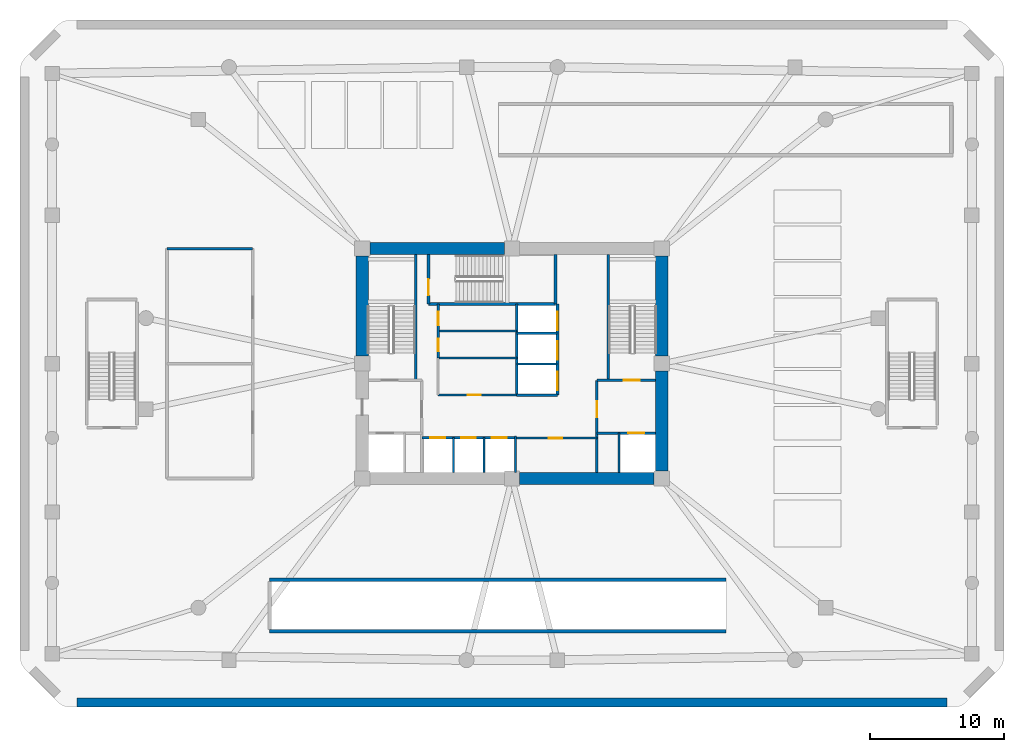
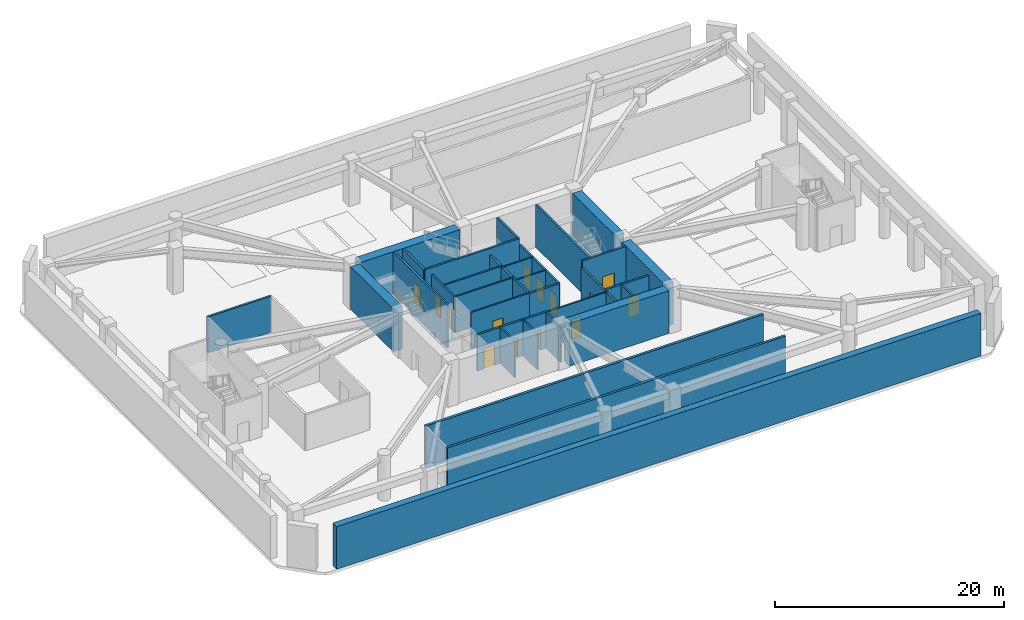
# One storey, part 3 of 8: 32 walls, 14 doors, 14 openings.
"""IFC4 building model written with IfcOpenShell, lengths in metres."""

import ifcopenshell
import ifcopenshell.guid

model = None  # the IFC model being written
_history = None  # IfcOwnerHistory: only IFC2X3 demands one
_inside = {}  # id of a spatial element -> (the spatial element, [elements in it])
_under = {}  # id of a project, library or spatial element -> (it, [spatial elements below it])
_declared = {}  # id of a project -> (the project, [libraries it declares])
_typed = {}  # id of a type object -> (the type object, [elements of that type])
_made_of = {}  # id of a material, layer set ... -> (it, [elements and type objects made of it])


def new_model(schema):
    """Start an empty IFC model of exactly this schema.

    Asked for "IFC4X3", IfcOpenShell would pick the latest addendum, in which some entities
    have other attributes; the version numbers below select the first issue.
    IFC2X3 requires an IfcOwnerHistory on every rooted entity: one is made here for all.
    """
    global model, _history
    if schema == "IFC4X3":
        model = ifcopenshell.file(schema_version=(4, 3, 0, 0))
    else:
        model = ifcopenshell.file(schema=schema)
    _inside.clear()
    _under.clear()
    _declared.clear()
    _typed.clear()
    _made_of.clear()
    _history = None
    if model.schema == "IFC2X3":
        org = make("IfcOrganization", Name="unknown")
        user = make(
            "IfcPersonAndOrganization",
            ThePerson=make("IfcPerson", FamilyName="unknown"),
            TheOrganization=org,
        )
        app = make(
            "IfcApplication",
            ApplicationDeveloper=org,
            Version="unknown",
            ApplicationFullName="unknown",
            ApplicationIdentifier="unknown",
        )
        _history = make(
            "IfcOwnerHistory",
            OwningUser=user,
            OwningApplication=app,
            ChangeAction="ADDED",
            CreationDate=0,
        )
    return model


def make(cls, **values):
    """One entity of the class cls with the attributes given. An attribute that is None is left unset."""
    return model.create_entity(
        cls, **{name: value for name, value in values.items() if value is not None}
    )


def rooted(cls, **values):
    """An entity with a GlobalId (a new one), such as an element, a storey or a relation."""
    return make(cls, GlobalId=ifcopenshell.guid.new(), OwnerHistory=_history, **values)


def si_unit(unit_type, name, prefix=None):
    """IfcSIUnit, for example si_unit("LENGTHUNIT", "METRE", prefix="MILLI")."""
    return make("IfcSIUnit", UnitType=unit_type, Prefix=prefix, Name=name)


def derived_unit(unit_type, elements):
    """IfcDerivedUnit: a product of units, each with its exponent."""
    return make(
        "IfcDerivedUnit",
        Elements=[
            make("IfcDerivedUnitElement", Unit=unit, Exponent=power)
            for unit, power in elements
        ],
        UnitType=unit_type,
    )


def assignment(units):
    """IfcUnitAssignment: the units of a project."""
    return None if units is None else make("IfcUnitAssignment", Units=units)


def point(xyz):
    """IfcCartesianPoint."""
    return None if xyz is None else make("IfcCartesianPoint", Coordinates=xyz)


def direction(xyz):
    """IfcDirection."""
    return None if xyz is None else make("IfcDirection", DirectionRatios=xyz)


def frame(location, z_axis=None, x_axis=None):
    """IfcAxis2Placement3D, a coordinate frame: its origin and axes. An axis left out is left unset."""
    return make(
        "IfcAxis2Placement3D",
        Location=point(location),
        Axis=direction(z_axis),
        RefDirection=direction(x_axis),
    )


def frame_2d(location, x_axis=None):
    """IfcAxis2Placement2D, a coordinate frame in the plane: its origin and x axis."""
    return make(
        "IfcAxis2Placement2D", Location=point(location), RefDirection=direction(x_axis)
    )


def origin():
    """The frame at (0, 0, 0) with its axes left unset."""
    return frame((0.0, 0.0, 0.0))


def place(relative_to, where):
    """IfcLocalPlacement: puts the frame where relative to a parent placement (None: the world)."""
    return make(
        "IfcLocalPlacement", PlacementRelTo=relative_to, RelativePlacement=where
    )


def context(
    kind, dimensions, precision=None, world=None, true_north=None, identifier=None
):
    """IfcGeometricRepresentationContext, for example the 3D "Model" context."""
    return make(
        "IfcGeometricRepresentationContext",
        ContextIdentifier=identifier,
        ContextType=kind,
        CoordinateSpaceDimension=dimensions,
        Precision=precision,
        WorldCoordinateSystem=world,
        TrueNorth=true_north,
    )


def subcontext(parent, identifier, kind, view, scale=None):
    """IfcGeometricRepresentationSubContext, for example "Body" below "Model"."""
    return make(
        "IfcGeometricRepresentationSubContext",
        ContextIdentifier=identifier,
        ContextType=kind,
        ParentContext=parent,
        TargetScale=scale,
        TargetView=view,
    )


def project(units=None, contexts=None):
    """IfcProject with its units and contexts."""
    return rooted(
        "IfcProject",
        Name="project",
        RepresentationContexts=contexts,
        UnitsInContext=assignment(units),
    )


def spatial(cls, under=None, at=None, **own):
    """A site, building, storey or space (cls), placed at a placement, below another one or the project."""
    s = rooted(cls, ObjectPlacement=at, **own)
    if under is not None:
        _under.setdefault(under.id(), (under, []))[1].append(s)
    return s


def profile(cls, at=None, kind="AREA", **sizes):
    """A parametric profile (cls). Its sizes go by their IFC names, for example OverallWidth=200.0."""
    return make(cls, ProfileType=kind, Position=at, **sizes)


def rectangle(**sizes):
    """IfcRectangleProfileDef."""
    return profile("IfcRectangleProfileDef", **sizes)


def extrude(swept, where, along, depth):
    """IfcExtrudedAreaSolid: the profile swept, set in the frame where, extruded along a direction by depth."""
    return make(
        "IfcExtrudedAreaSolid",
        SweptArea=swept,
        Position=where,
        ExtrudedDirection=direction(along),
        Depth=depth,
    )


def shape(context_of_items, identifier, shape_type, items):
    """IfcShapeRepresentation: the items that make up one representation, for example the "Body"."""
    return make(
        "IfcShapeRepresentation",
        ContextOfItems=context_of_items,
        RepresentationIdentifier=identifier,
        RepresentationType=shape_type,
        Items=items,
    )


def material(Name=None, Category=None):
    """IfcMaterial."""
    return make("IfcMaterial", Name=Name, Category=Category)


def layer(
    of_material, thickness, ventilated=None, Name=None, Category=None, Priority=None
):
    """IfcMaterialLayer: one layer of a wall or slab, of a material (None: an air gap)."""
    return make(
        "IfcMaterialLayer",
        Material=of_material,
        LayerThickness=thickness,
        IsVentilated=ventilated,
        Name=Name,
        Category=Category,
        Priority=Priority,
    )


def layer_set(layers, Name=None):
    """IfcMaterialLayerSet."""
    return make("IfcMaterialLayerSet", MaterialLayers=layers, LayerSetName=Name)


def made_of(thing, what):
    """Note that an element or type object is made of a material, layer set ...; save() writes the relation."""
    if what is not None:
        _made_of.setdefault(what.id(), (what, []))[1].append(thing)
    return thing


def type_object(cls, material=None, **own):
    """A type object (cls), such as IfcWallType, which elements share."""
    return made_of(rooted(cls, **own), material)


def element(
    cls,
    number,
    at=None,
    inside=None,
    cuts=None,
    type_object=None,
    material=None,
    context=None,
    identifier="Body",
    shape_type=None,
    held_by="IfcProductDefinitionShape",
    body=None,
    shapes=None,
    **own,
):
    """One element of the class cls, such as IfcWall. Its Tag is "e" and its number.

    at: its placement. inside: the storey or other place that contains it. cuts: it is an
    opening in that element (IfcRelVoidsElement). A single representation is given by context,
    identifier, shape_type and body (its items); several are given by shapes. held_by: the class
    of the entity that holds the representations. save() writes the other relations.
    """
    e = rooted(cls, Tag="e%d" % number, ObjectPlacement=at, **own)
    if body is not None:
        shapes = [shape(context, identifier, shape_type, body)]
    if shapes is not None:
        e.Representation = make(held_by, Representations=shapes)
    if inside is not None:
        _inside.setdefault(inside.id(), (inside, []))[1].append(e)
    if cuts is not None:
        rooted(
            "IfcRelVoidsElement", RelatingBuildingElement=cuts, RelatedOpeningElement=e
        )
    if type_object is not None:
        _typed.setdefault(type_object.id(), (type_object, []))[1].append(e)
    return made_of(e, material)


def fill(opening, filler):
    """IfcRelFillsElement: the door or window that sits in an opening."""
    return rooted(
        "IfcRelFillsElement",
        RelatingOpeningElement=opening,
        RelatedBuildingElement=filler,
    )


def aggregate(whole, parts):
    """IfcRelAggregates: a whole, such as a stair, and the parts it consists of."""
    return rooted("IfcRelAggregates", RelatingObject=whole, RelatedObjects=parts)


def save(model, path):
    """Write the relations noted so far, then the file.

    IfcRelAggregates (storeys below a building ...), IfcRelContainedInSpatialStructure (elements
    in a storey), IfcRelDefinesByType, IfcRelAssociatesMaterial and IfcRelDeclares: one each for
    every whole, place, type object, material and project.
    """
    for whole, parts in _under.values():
        aggregate(whole, parts)
    for where, things in _inside.values():
        rooted(
            "IfcRelContainedInSpatialStructure",
            RelatedElements=things,
            RelatingStructure=where,
        )
    for kind, things in _typed.values():
        rooted("IfcRelDefinesByType", RelatedObjects=things, RelatingType=kind)
    for what, things in _made_of.values():
        rooted("IfcRelAssociatesMaterial", RelatedObjects=things, RelatingMaterial=what)
    for by, libraries in _declared.values():
        rooted("IfcRelDeclares", RelatingContext=by, RelatedDefinitions=libraries)
    model.write(path)


model = new_model("IFC4")

# Units and contexts
model_context = context("Model", 3, precision=1e-05, world=origin(), true_north=direction((0.0, 1.0)))
body_context = subcontext(model_context, "Body", "Model", "MODEL_VIEW")
ifc_project = project(units=[si_unit("LENGTHUNIT", "METRE"), si_unit("AREAUNIT", "SQUARE_METRE"), si_unit("VOLUMEUNIT", "CUBIC_METRE"), si_unit("PLANEANGLEUNIT", "RADIAN"), si_unit("MASSUNIT", "GRAM", prefix="KILO"), derived_unit("THERMALTRANSMITTANCEUNIT", [(si_unit("POWERUNIT", "WATT"), 1), (si_unit("LENGTHUNIT", "METRE"), -2), (si_unit("THERMODYNAMICTEMPERATUREUNIT", "KELVIN"), -1)])], contexts=[model_context])

# Site, building, storey
site_placement = place(None, origin())
site = spatial("IfcSite", under=ifc_project, at=site_placement, CompositionType="ELEMENT")
building_placement = place(site_placement, origin())
building = spatial("IfcBuilding", under=site, at=building_placement, Name="Koralith Skygarden Medical Center", CompositionType="ELEMENT")
storey_placement = place(building_placement, frame((0.0, 0.0, -4.860107421875)))
storey = spatial("IfcBuildingStorey", under=building, at=storey_placement, Name="B1", CompositionType="ELEMENT", Elevation=-4.860107421875)

# Wall
ifc_material_1 = material(Name="Concrete C55/67", Category="concrete")
ifc_layer_1 = layer(ifc_material_1, 0.64990234375)
ifc_layer_set_1 = layer_set([ifc_layer_1], Name="Concrete C55/67")
wall_type_1 = type_object("IfcWallType", Name="Basement Retaining Wall 650", PredefinedType="SOLIDWALL", material=ifc_layer_set_1)
wall_1_placement = place(storey_placement, frame((4.455078125, 0.550048828125, 0.0), z_axis=(0.0, 0.0, 1.0), x_axis=(1.0, 0.0, 0.0)))
element("IfcWall", 1, at=wall_1_placement, inside=storey, type_object=wall_type_1, Name="B1 Basement Retaining Wall S", PredefinedType="SOLIDWALL", context=body_context, shape_type="SweptSolid", body=[
    extrude(rectangle(XDim=65.08984375, YDim=0.64990234375, at=frame_2d((32.544921875, 0.0))), origin(), (0.0, 0.0, 1.0), 4.56005859375),
])

# Wall, opening, door
ifc_material_2 = material(Name="Gypsum Board Partition")
ifc_layer_2 = layer(ifc_material_2, 0.14990234375)
ifc_layer_set_2 = layer_set([ifc_layer_2], Name="Gypsum Board Partition")
wall_type_2 = type_object("IfcWallType", Name="Clinical Acoustic Partition 150", PredefinedType="PARTITIONING", material=ifc_layer_set_2)
wall_2_placement = place(storey_placement, frame((37.25, 20.320068359375, 0.0), z_axis=(0.0, 0.0, 1.0), x_axis=(1.0, 0.0, 0.0)))
wall_2 = element("IfcWall", 2, at=wall_2_placement, inside=storey, type_object=wall_type_2, Name="B1 Clinical Acoustic Partition 150 W-CORE-B1-PM-BN", PredefinedType="PARTITIONING", context=body_context, shape_type="SweptSolid", body=[
    extrude(rectangle(XDim=6.10009765625, YDim=0.14990234375, at=frame_2d((3.050048828125, 0.0))), origin(), (0.0, 0.0, 1.0), 3.85009765625),
])
opening_1_placement = place(wall_2_placement, frame((2.5, 0.0, 0.0)))
opening_1 = element("IfcOpeningElement", 3, at=opening_1_placement, cuts=wall_2, Name="Opening D-SUP", PredefinedType="OPENING", context=body_context, shape_type="SweptSolid", body=[
    extrude(rectangle(XDim=1.0, YDim=2.14990234375, at=frame_2d((0.5, 1.074951171875))), frame((0.0, 0.0849609375, 0.0), z_axis=(0.0, -1.0, 0.0), x_axis=(1.0, 0.0, 0.0)), (0.0, 0.0, 1.0), 0.169921875),
])
ifc_material_3 = material(Name="Aluminium 6063-T6", Category="aluminium")
door_type_1 = type_object("IfcDoorType", Name="Clinical Support Door D-SUP 1000", OperationType="NOTDEFINED", PredefinedType="DOOR", material=ifc_material_3)
door_1_placement = place(opening_1_placement, frame((1.0, 0.0, 0.0), z_axis=(0.0, 0.0, 1.0), x_axis=(-1.0, 0.0, 0.0)))
door_1 = element("IfcDoor", 4, at=door_1_placement, inside=storey, type_object=door_type_1, Name="B1 Sterile Vault Door", OperationType="SINGLE_SWING_LEFT", OverallHeight=2.14990234375, OverallWidth=1.0, PredefinedType="DOOR", context=body_context, shape_type="SweptSolid", body=[
    extrude(rectangle(XDim=1.0, YDim=2.14990234375, at=frame_2d((0.5, 1.074951171875))), frame((0.0, 0.02490234375, 0.0), z_axis=(0.0, -1.0, 0.0), x_axis=(1.0, 0.0, 0.0)), (0.0, 0.0, 1.0), 0.050048828125),
])
fill(opening_1, door_1)

wall_3_placement = place(storey_placement, frame((31.47998046875, 23.56005859375, 0.0), z_axis=(0.0, 0.0, 1.0), x_axis=(1.0, 0.0, 0.0)))
wall_3 = element("IfcWall", 5, at=wall_3_placement, inside=storey, type_object=wall_type_2, Name="B1 Clinical Acoustic Partition 150 W-CORE-B1-PH-BS", PredefinedType="PARTITIONING", context=body_context, shape_type="SweptSolid", body=[
    extrude(rectangle(XDim=5.89013671875, YDim=0.14990234375, at=frame_2d((2.945068359375, 0.0))), origin(), (0.0, 0.0, 1.0), 3.85009765625),
])
opening_2_placement = place(wall_3_placement, frame((2.199951171875, 0.0, 0.0)))
opening_2 = element("IfcOpeningElement", 6, at=opening_2_placement, cuts=wall_3, Name="Opening D-SUP", PredefinedType="OPENING", context=body_context, shape_type="SweptSolid", body=[
    extrude(rectangle(XDim=1.0, YDim=2.14990234375, at=frame_2d((0.5, 1.074951171875))), frame((0.0, 0.0849609375, 0.0), z_axis=(0.0, -1.0, 0.0), x_axis=(1.0, 0.0, 0.0)), (0.0, 0.0, 1.0), 0.169921875),
])
door_2_placement = place(opening_2_placement, origin())
door_2 = element("IfcDoor", 7, at=door_2_placement, inside=storey, type_object=door_type_1, Name="B1 Pharmacy Vault Door", OperationType="SINGLE_SWING_LEFT", OverallHeight=2.14990234375, OverallWidth=1.0, PredefinedType="DOOR", context=body_context, shape_type="SweptSolid", body=[
    extrude(rectangle(XDim=1.0, YDim=2.14990234375, at=frame_2d((0.5, 1.074951171875))), frame((0.0, 0.02490234375, 0.0), z_axis=(0.0, -1.0, 0.0), x_axis=(1.0, 0.0, 0.0)), (0.0, 0.0, 1.0), 0.050048828125),
])
fill(opening_2, door_2)

# Wall
wall_4_placement = place(storey_placement, frame((31.47998046875, 26.320068359375, 0.0), z_axis=(0.0, 0.0, 1.0), x_axis=(1.0, 0.0, 0.0)))
element("IfcWall", 8, at=wall_4_placement, inside=storey, type_object=wall_type_2, Name="B1 Clinical Acoustic Partition 150 W-CORE-B1-PH-BN", PredefinedType="PARTITIONING", context=body_context, shape_type="SweptSolid", body=[
    extrude(rectangle(XDim=5.89013671875, YDim=0.14990234375, at=frame_2d((2.945068359375, 0.0))), origin(), (0.0, 0.0, 1.0), 3.85009765625),
])

# Wall, opening, door
ifc_layer_3 = layer(ifc_material_2, 0.199951171875)
ifc_layer_set_3 = layer_set([ifc_layer_3], Name="Gypsum Board Partition")
wall_type_3 = type_object("IfcWallType", Name="Fire Shaft Wall 200", PredefinedType="SOLIDWALL", material=ifc_layer_set_3)
wall_5_placement = place(storey_placement, frame((43.35009765625, 20.699951171875, 0.0), z_axis=(0.0, 0.0, 1.0), x_axis=(1.0, 0.0, 0.0)))
wall_5 = element("IfcWall", 9, at=wall_5_placement, inside=storey, type_object=wall_type_3, Name="B1 Fire Shaft Wall 200 W-CORE-B1-FF2-N", PredefinedType="SOLIDWALL", context=body_context, shape_type="SweptSolid", body=[
    extrude(rectangle(XDim=4.39990234375, YDim=0.199951171875, at=frame_2d((2.199951171875, 0.0))), origin(), (0.0, 0.0, 1.0), 3.85009765625),
])
opening_3_placement = place(wall_5_placement, frame((2.35009765625, 0.0, 0.0)))
opening_3 = element("IfcOpeningElement", 10, at=opening_3_placement, cuts=wall_5, Name="Opening LD-FF", PredefinedType="OPENING", context=body_context, shape_type="SweptSolid", body=[
    extrude(rectangle(XDim=1.199951171875, YDim=2.14990234375, at=frame_2d((0.60009765625, 1.074951171875))), frame((0.0, 0.10986328125, 0.0), z_axis=(0.0, -1.0, 0.0), x_axis=(1.0, 0.0, 0.0)), (0.0, 0.0, 1.0), 0.219970703125),
])
ifc_material_4 = material(Name="Steel ASTM A500 Grade C", Category="steel")
door_type_2 = type_object("IfcDoorType", Name="Fire Lift Sliding Landing Door LD-FF 1200", OperationType="NOTDEFINED", PredefinedType="DOOR", material=ifc_material_4)
door_3_placement = place(opening_3_placement, origin())
door_3 = element("IfcDoor", 11, at=door_3_placement, inside=storey, type_object=door_type_2, Name="B1 Fire Service Elevator FF2 Landing Door", OperationType="SLIDING_TO_RIGHT", OverallHeight=2.14990234375, OverallWidth=1.199951171875, PredefinedType="DOOR", context=body_context, shape_type="SweptSolid", body=[
    extrude(rectangle(XDim=1.199951171875, YDim=2.14990234375, at=frame_2d((0.60009765625, 1.074951171875))), frame((0.0, 0.02490234375, 0.0), z_axis=(0.0, -1.0, 0.0), x_axis=(1.0, 0.0, 0.0)), (0.0, 0.0, 1.0), 0.050048828125),
])
fill(opening_3, door_3)

wall_6_placement = place(storey_placement, frame((43.35009765625, 17.75, 0.0), z_axis=(0.0, 0.0, 1.0), x_axis=(0.0, 1.0, 0.0)))
wall_6 = element("IfcWall", 12, at=wall_6_placement, inside=storey, type_object=wall_type_3, Name="B1 Fire Shaft Wall 200 W-CORE-B1-FSAEE-W", PredefinedType="SOLIDWALL", context=body_context, shape_type="SweptSolid", body=[
    extrude(rectangle(XDim=6.89990234375, YDim=0.199951171875, at=frame_2d((3.449951171875, 0.0))), origin(), (0.0, 0.0, 1.0), 3.85009765625),
])
opening_4_placement = place(wall_6_placement, frame((4.14990234375, 0.0, 0.0)))
opening_4 = element("IfcOpeningElement", 13, at=opening_4_placement, cuts=wall_6, Name="Opening D-ST60", PredefinedType="OPENING", context=body_context, shape_type="SweptSolid", body=[
    extrude(rectangle(XDim=1.199951171875, YDim=2.14990234375, at=frame_2d((0.60009765625, 1.074951171875))), frame((0.0, 0.10986328125, 0.0), z_axis=(0.0, -1.0, 0.0), x_axis=(1.0, 0.0, 0.0)), (0.0, 0.0, 1.0), 0.219970703125),
])
door_type_3 = type_object("IfcDoorType", Name="Smokeproof Stair Fire Door FD60S 1200", OperationType="NOTDEFINED", PredefinedType="DOOR", material=ifc_material_4)
door_4_placement = place(opening_4_placement, frame((1.199951171875, 0.0, 0.0), z_axis=(0.0, 0.0, 1.0), x_axis=(-1.0, 0.0, 0.0)))
door_4 = element("IfcDoor", 14, at=door_4_placement, inside=storey, type_object=door_type_3, Name="B1 East Firefighting Lobby Inner Fire Door", OperationType="SINGLE_SWING_RIGHT", OverallHeight=2.14990234375, OverallWidth=1.199951171875, PredefinedType="DOOR", context=body_context, shape_type="SweptSolid", body=[
    extrude(rectangle(XDim=1.199951171875, YDim=2.14990234375, at=frame_2d((0.60009765625, 1.074951171875))), frame((0.0, 0.02490234375, 0.0), z_axis=(0.0, -1.0, 0.0), x_axis=(1.0, 0.0, 0.0)), (0.0, 0.0, 1.0), 0.050048828125),
])
fill(opening_4, door_4)

# Wall, openings, doors
wall_7_placement = place(storey_placement, frame((30.25, 20.360107421875, 0.0), z_axis=(0.0, 0.0, 1.0), x_axis=(1.0, 0.0, 0.0)))
wall_7 = element("IfcWall", 15, at=wall_7_placement, inside=storey, type_object=wall_type_3, Name="B1 Fire Shaft Wall 200 W-CORE-B1-PL-N", PredefinedType="SOLIDWALL", context=body_context, shape_type="SweptSolid", body=[
    extrude(rectangle(XDim=7.0, YDim=0.199951171875, at=frame_2d((3.5, 0.0))), origin(), (0.0, 0.0, 1.0), 3.85009765625),
])
opening_5_placement = place(wall_7_placement, frame((0.64990234375, 0.0, 0.0)))
opening_5 = element("IfcOpeningElement", 16, at=opening_5_placement, cuts=wall_7, Name="Opening LD-P", PredefinedType="OPENING", context=body_context, shape_type="SweptSolid", body=[
    extrude(rectangle(XDim=1.10009765625, YDim=2.14990234375, at=frame_2d((0.550048828125, 1.074951171875))), frame((0.0, 0.10986328125, 0.0), z_axis=(0.0, -1.0, 0.0), x_axis=(1.0, 0.0, 0.0)), (0.0, 0.0, 1.0), 0.219970703125),
])
opening_6_placement = place(wall_7_placement, frame((2.949951171875, 0.0, 0.0)))
opening_6 = element("IfcOpeningElement", 17, at=opening_6_placement, cuts=wall_7, Name="Opening LD-P", PredefinedType="OPENING", context=body_context, shape_type="SweptSolid", body=[
    extrude(rectangle(XDim=1.10009765625, YDim=2.14990234375, at=frame_2d((0.550048828125, 1.074951171875))), frame((0.0, 0.10986328125, 0.0), z_axis=(0.0, -1.0, 0.0), x_axis=(1.0, 0.0, 0.0)), (0.0, 0.0, 1.0), 0.219970703125),
])
opening_7_placement = place(wall_7_placement, frame((5.25, 0.0, 0.0)))
opening_7 = element("IfcOpeningElement", 18, at=opening_7_placement, cuts=wall_7, Name="Opening LD-P", PredefinedType="OPENING", context=body_context, shape_type="SweptSolid", body=[
    extrude(rectangle(XDim=1.10009765625, YDim=2.14990234375, at=frame_2d((0.550048828125, 1.074951171875))), frame((0.0, 0.10986328125, 0.0), z_axis=(0.0, -1.0, 0.0), x_axis=(1.0, 0.0, 0.0)), (0.0, 0.0, 1.0), 0.219970703125),
])
door_type_4 = type_object("IfcDoorType", Name="Passenger Lift Sliding Landing Door LD-P 1100", OperationType="NOTDEFINED", PredefinedType="DOOR", material=ifc_material_4)
door_5_placement = place(opening_5_placement, origin())
door_5 = element("IfcDoor", 19, at=door_5_placement, inside=storey, type_object=door_type_4, Name="B1 Passenger Elevator PL1 Landing Door", OperationType="SLIDING_TO_LEFT", OverallHeight=2.14990234375, OverallWidth=1.10009765625, PredefinedType="DOOR", context=body_context, shape_type="SweptSolid", body=[
    extrude(rectangle(XDim=1.10009765625, YDim=2.14990234375, at=frame_2d((0.550048828125, 1.074951171875))), frame((0.0, 0.02490234375, 0.0), z_axis=(0.0, -1.0, 0.0), x_axis=(1.0, 0.0, 0.0)), (0.0, 0.0, 1.0), 0.050048828125),
])
fill(opening_5, door_5)
door_6_placement = place(opening_6_placement, origin())
door_6 = element("IfcDoor", 20, at=door_6_placement, inside=storey, type_object=door_type_4, Name="B1 Passenger Elevator PL2 Landing Door", OperationType="SLIDING_TO_LEFT", OverallHeight=2.14990234375, OverallWidth=1.10009765625, PredefinedType="DOOR", context=body_context, shape_type="SweptSolid", body=[
    extrude(rectangle(XDim=1.10009765625, YDim=2.14990234375, at=frame_2d((0.550048828125, 1.074951171875))), frame((0.0, 0.02490234375, 0.0), z_axis=(0.0, -1.0, 0.0), x_axis=(1.0, 0.0, 0.0)), (0.0, 0.0, 1.0), 0.050048828125),
])
fill(opening_6, door_6)
door_7_placement = place(opening_7_placement, origin())
door_7 = element("IfcDoor", 21, at=door_7_placement, inside=storey, type_object=door_type_4, Name="B1 Passenger Elevator PL3 Landing Door", OperationType="SLIDING_TO_LEFT", OverallHeight=2.14990234375, OverallWidth=1.10009765625, PredefinedType="DOOR", context=body_context, shape_type="SweptSolid", body=[
    extrude(rectangle(XDim=1.10009765625, YDim=2.14990234375, at=frame_2d((0.550048828125, 1.074951171875))), frame((0.0, 0.02490234375, 0.0), z_axis=(0.0, -1.0, 0.0), x_axis=(1.0, 0.0, 0.0)), (0.0, 0.0, 1.0), 0.050048828125),
])
fill(opening_7, door_7)

# Walls
wall_8_placement = place(storey_placement, frame((37.35009765625, 23.5400390625, 0.0), z_axis=(0.0, 0.0, 1.0), x_axis=(0.0, 1.0, 0.0)))
element("IfcWall", 22, at=wall_8_placement, inside=storey, type_object=wall_type_3, Name="B1 Fire Shaft Wall 200 W-CORE-B1-SV-W", PredefinedType="SOLIDWALL", context=body_context, shape_type="SweptSolid", body=[
    extrude(rectangle(XDim=6.820068359375, YDim=0.199951171875, at=frame_2d((3.41015625, 0.0))), origin(), (0.0, 0.0, 1.0), 3.85009765625),
])
wall_9_placement = place(storey_placement, frame((37.35009765625, 23.5400390625, 0.0), z_axis=(0.0, 0.0, 1.0), x_axis=(1.0, 0.0, 0.0)))
element("IfcWall", 23, at=wall_9_placement, inside=storey, type_object=wall_type_3, Name="B1 Fire Shaft Wall 200 W-CORE-B1-SV-S", PredefinedType="SOLIDWALL", context=body_context, shape_type="SweptSolid", body=[
    extrude(rectangle(XDim=3.0498046875, YDim=0.199951171875, at=frame_2d((1.52490234375, 0.0))), origin(), (0.0, 0.0, 1.0), 3.85009765625),
])

# Wall, openings, doors
wall_10_placement = place(storey_placement, frame((40.39990234375, 23.5400390625, 0.0), z_axis=(0.0, 0.0, 1.0), x_axis=(0.0, 1.0, 0.0)))
wall_10 = element("IfcWall", 24, at=wall_10_placement, inside=storey, type_object=wall_type_3, Name="B1 Fire Shaft Wall 200 W-CORE-B1-SV-E", PredefinedType="SOLIDWALL", context=body_context, shape_type="SweptSolid", body=[
    extrude(rectangle(XDim=6.820068359375, YDim=0.199951171875, at=frame_2d((3.41015625, 0.0))), origin(), (0.0, 0.0, 1.0), 3.85009765625),
])
opening_8_placement = place(wall_10_placement, frame((0.35009765625, 0.0, 0.0)))
opening_8 = element("IfcOpeningElement", 25, at=opening_8_placement, cuts=wall_10, Name="Opening LD-SV", PredefinedType="OPENING", context=body_context, shape_type="SweptSolid", body=[
    extrude(rectangle(XDim=1.39990234375, YDim=2.199951171875, at=frame_2d((0.699951171875, 1.10009765625))), frame((0.0, 0.10986328125, 0.0), z_axis=(0.0, -1.0, 0.0), x_axis=(1.0, 0.0, 0.0)), (0.0, 0.0, 1.0), 0.219970703125),
])
opening_9_placement = place(wall_10_placement, frame((2.64990234375, 0.0, 0.0)))
opening_9 = element("IfcOpeningElement", 26, at=opening_9_placement, cuts=wall_10, Name="Opening LD-SV", PredefinedType="OPENING", context=body_context, shape_type="SweptSolid", body=[
    extrude(rectangle(XDim=1.39990234375, YDim=2.199951171875, at=frame_2d((0.699951171875, 1.10009765625))), frame((0.0, 0.10986328125, 0.0), z_axis=(0.0, -1.0, 0.0), x_axis=(1.0, 0.0, 0.0)), (0.0, 0.0, 1.0), 0.219970703125),
])
opening_10_placement = place(wall_10_placement, frame((4.85009765625, 0.0, 0.0)))
opening_10 = element("IfcOpeningElement", 27, at=opening_10_placement, cuts=wall_10, Name="Opening LD-SV", PredefinedType="OPENING", context=body_context, shape_type="SweptSolid", body=[
    extrude(rectangle(XDim=1.39990234375, YDim=2.199951171875, at=frame_2d((0.699951171875, 1.10009765625))), frame((0.0, 0.10986328125, 0.0), z_axis=(0.0, -1.0, 0.0), x_axis=(1.0, 0.0, 0.0)), (0.0, 0.0, 1.0), 0.219970703125),
])
door_type_5 = type_object("IfcDoorType", Name="Bed Lift Sliding Landing Door LD-SV 1400", OperationType="NOTDEFINED", PredefinedType="DOOR", material=ifc_material_4)
door_8_placement = place(opening_8_placement, origin())
door_8 = element("IfcDoor", 28, at=door_8_placement, inside=storey, type_object=door_type_5, Name="B1 Bed Elevator BD1 Landing Door", OperationType="SLIDING_TO_LEFT", OverallHeight=2.199951171875, OverallWidth=1.39990234375, PredefinedType="DOOR", context=body_context, shape_type="SweptSolid", body=[
    extrude(rectangle(XDim=1.39990234375, YDim=2.199951171875, at=frame_2d((0.699951171875, 1.10009765625))), frame((0.0, 0.02490234375, 0.0), z_axis=(0.0, -1.0, 0.0), x_axis=(1.0, 0.0, 0.0)), (0.0, 0.0, 1.0), 0.050048828125),
])
fill(opening_8, door_8)
door_9_placement = place(opening_9_placement, origin())
door_9 = element("IfcDoor", 29, at=door_9_placement, inside=storey, type_object=door_type_5, Name="B1 Service Elevator BD2 Landing Door", OperationType="SLIDING_TO_LEFT", OverallHeight=2.199951171875, OverallWidth=1.39990234375, PredefinedType="DOOR", context=body_context, shape_type="SweptSolid", body=[
    extrude(rectangle(XDim=1.39990234375, YDim=2.199951171875, at=frame_2d((0.699951171875, 1.10009765625))), frame((0.0, 0.02490234375, 0.0), z_axis=(0.0, -1.0, 0.0), x_axis=(1.0, 0.0, 0.0)), (0.0, 0.0, 1.0), 0.050048828125),
])
fill(opening_9, door_9)
door_10_placement = place(opening_10_placement, origin())
door_10 = element("IfcDoor", 30, at=door_10_placement, inside=storey, type_object=door_type_5, Name="B1 Trauma Elevator TR1 Landing Door", OperationType="SLIDING_TO_RIGHT", OverallHeight=2.199951171875, OverallWidth=1.39990234375, PredefinedType="DOOR", context=body_context, shape_type="SweptSolid", body=[
    extrude(rectangle(XDim=1.39990234375, YDim=2.199951171875, at=frame_2d((0.699951171875, 1.10009765625))), frame((0.0, 0.02490234375, 0.0), z_axis=(0.0, -1.0, 0.0), x_axis=(1.0, 0.0, 0.0)), (0.0, 0.0, 1.0), 0.050048828125),
])
fill(opening_10, door_10)

# Walls
wall_11_placement = place(storey_placement, frame((11.199951171875, 34.5, 0.0), z_axis=(0.0, 0.0, 1.0), x_axis=(1.0, 0.0, 0.0)))
element("IfcWall", 31, at=wall_11_placement, inside=storey, type_object=wall_type_3, Name="B1 Fire Shaft Wall 200 W-BASE-B1-BLKN", PredefinedType="SOLIDWALL", context=body_context, shape_type="SweptSolid", body=[
    extrude(rectangle(XDim=6.400146484375, YDim=0.199951171875, at=frame_2d((3.2001953125, 0.0))), origin(), (0.0, 0.0, 1.0), 3.85009765625),
])
ifc_material_5 = material(Name="Concrete C70/85", Category="concrete")
ifc_layer_4 = layer(ifc_material_5, 0.89990234375)
ifc_layer_set_4 = layer_set([ifc_layer_4], Name="Concrete C70/85")
wall_type_4 = type_object("IfcWallType", Name="Lower Core Shear Wall 900", PredefinedType="SHEAR", material=ifc_layer_set_4)
wall_12_placement = place(storey_placement, frame((37.56494140625, 17.300048828125, 0.0), z_axis=(0.0, 0.0, 1.0), x_axis=(1.0, 0.0, 0.0)))
element("IfcWall", 32, at=wall_12_placement, inside=storey, type_object=wall_type_4, Name="B1 Core Shear Wall Segment 2", PredefinedType="SHEAR", context=body_context, shape_type="SweptSolid", body=[
    extrude(rectangle(XDim=10.070068359375, YDim=0.89990234375, at=frame_2d((5.03515625, 0.0))), origin(), (0.0, 0.0, 1.0), 4.56005859375),
])
for number, where, z_axis, x_axis, name in (
    (33, (48.199951171875, 17.864990234375, 0.0), (0.0, 0.0, 1.0), (0.0, 1.0, 0.0), "B1 Core Shear Wall Segment 3"),
    (34, (48.199951171875, 26.465087890625, 0.0), (0.0, 0.0, 1.0), (0.0, 1.0, 0.0), "B1 Core Shear Wall Segment 4"),
):
    element("IfcWall", number, at=place(storey_placement, frame(where, z_axis=z_axis, x_axis=x_axis)), inside=storey, type_object=wall_type_4, Name=name, PredefinedType="SHEAR", context=body_context, shape_type="SweptSolid", body=[
        extrude(rectangle(XDim=7.469970703125, YDim=0.89990234375, at=frame_2d((3.73486328125, 0.0))), origin(), (0.0, 0.0, 1.0), 4.56005859375),
    ])
wall_13_placement = place(storey_placement, frame((36.43505859375, 34.5, 0.0), z_axis=(0.0, 0.0, 1.0), x_axis=(-1.0, 0.0, 0.0)))
element("IfcWall", 35, at=wall_13_placement, inside=storey, type_object=wall_type_4, Name="B1 Core Shear Wall Segment 6", PredefinedType="SHEAR", context=body_context, shape_type="SweptSolid", body=[
    extrude(rectangle(XDim=10.070068359375, YDim=0.89990234375, at=frame_2d((5.03515625, 0.0))), origin(), (0.0, 0.0, 1.0), 4.56005859375),
])
wall_14_placement = place(storey_placement, frame((25.800048828125, 33.93505859375, 0.0), z_axis=(0.0, 0.0, 1.0), x_axis=(0.0, -1.0, 0.0)))
element("IfcWall", 36, at=wall_14_placement, inside=storey, type_object=wall_type_4, Name="B1 Core Shear Wall Segment 7", PredefinedType="SHEAR", context=body_context, shape_type="SweptSolid", body=[
    extrude(rectangle(XDim=7.469970703125, YDim=0.89990234375, at=frame_2d((3.73486328125, 0.0))), origin(), (0.0, 0.0, 1.0), 4.56005859375),
])

# Wall, openings, doors
ifc_layer_5 = layer(ifc_material_2, 0.1650390625)
ifc_layer_set_5 = layer_set([ifc_layer_5], Name="Gypsum Board Partition")
wall_type_5 = type_object("IfcWallType", Name="Plumbing Wet Wall 165", PredefinedType="PLUMBINGWALL", material=ifc_layer_set_5)
wall_15_placement = place(storey_placement, frame((31.47998046875, 26.320068359375, 0.0), z_axis=(0.0, 0.0, 1.0), x_axis=(0.0, 1.0, 0.0)))
wall_15 = element("IfcWall", 37, at=wall_15_placement, inside=storey, type_object=wall_type_5, Name="B1 Plumbing Wet Wall 165 W-CORE-B1-FLEX-W", PredefinedType="PLUMBINGWALL", context=body_context, shape_type="SweptSolid", body=[
    extrude(rectangle(XDim=4.0400390625, YDim=0.1650390625, at=frame_2d((2.02001953125, 0.0))), origin(), (0.0, 0.0, 1.0), 3.85009765625),
])
opening_11_placement = place(wall_15_placement, frame((0.5, 0.0, 0.0)))
opening_11 = element("IfcOpeningElement", 38, at=opening_11_placement, cuts=wall_15, Name="Opening D-WC", PredefinedType="OPENING", context=body_context, shape_type="SweptSolid", body=[
    extrude(rectangle(XDim=0.949951171875, YDim=2.10009765625, at=frame_2d((0.47509765625, 1.050048828125))), frame((0.0, 0.092529296875, 0.0), z_axis=(0.0, -1.0, 0.0), x_axis=(1.0, 0.0, 0.0)), (0.0, 0.0, 1.0), 0.18505859375),
])
opening_12_placement = place(wall_15_placement, frame((2.449951171875, 0.0, 0.0)))
opening_12 = element("IfcOpeningElement", 39, at=opening_12_placement, cuts=wall_15, Name="Opening D-SUP", PredefinedType="OPENING", context=body_context, shape_type="SweptSolid", body=[
    extrude(rectangle(XDim=1.0, YDim=2.14990234375, at=frame_2d((0.5, 1.074951171875))), frame((0.0, 0.092529296875, 0.0), z_axis=(0.0, -1.0, 0.0), x_axis=(1.0, 0.0, 0.0)), (0.0, 0.0, 1.0), 0.18505859375),
])
door_type_6 = type_object("IfcDoorType", Name="Accessible Toilet Door D-WC 950", OperationType="NOTDEFINED", PredefinedType="DOOR", material=ifc_material_3)
door_11_placement = place(opening_11_placement, frame((0.949951171875, 0.0, 0.0), z_axis=(0.0, 0.0, 1.0), x_axis=(-1.0, 0.0, 0.0)))
door_11 = element("IfcDoor", 40, at=door_11_placement, inside=storey, type_object=door_type_6, Name="B1 Core Accessible WC Door", OperationType="SINGLE_SWING_LEFT", OverallHeight=2.10009765625, OverallWidth=0.949951171875, PredefinedType="DOOR", context=body_context, shape_type="SweptSolid", body=[
    extrude(rectangle(XDim=0.949951171875, YDim=2.10009765625, at=frame_2d((0.47509765625, 1.050048828125))), frame((0.0, 0.02490234375, 0.0), z_axis=(0.0, -1.0, 0.0), x_axis=(1.0, 0.0, 0.0)), (0.0, 0.0, 1.0), 0.050048828125),
])
fill(opening_11, door_11)
door_12_placement = place(opening_12_placement, frame((1.0, 0.0, 0.0), z_axis=(0.0, 0.0, 1.0), x_axis=(-1.0, 0.0, 0.0)))
door_12 = element("IfcDoor", 41, at=door_12_placement, inside=storey, type_object=door_type_1, Name="B1 Core Clean Utility Door", OperationType="SINGLE_SWING_RIGHT", OverallHeight=2.14990234375, OverallWidth=1.0, PredefinedType="DOOR", context=body_context, shape_type="SweptSolid", body=[
    extrude(rectangle(XDim=1.0, YDim=2.14990234375, at=frame_2d((0.5, 1.074951171875))), frame((0.0, 0.02490234375, 0.0), z_axis=(0.0, -1.0, 0.0), x_axis=(1.0, 0.0, 0.0)), (0.0, 0.0, 1.0), 0.050048828125),
])
fill(opening_12, door_12)

# Walls
wall_16_placement = place(storey_placement, frame((31.47998046875, 28.340087890625, 0.0), z_axis=(0.0, 0.0, 1.0), x_axis=(1.0, 0.0, 0.0)))
element("IfcWall", 42, at=wall_16_placement, inside=storey, type_object=wall_type_5, Name="B1 Plumbing Wet Wall 165 W-CORE-B1-FLEX-H0", PredefinedType="PLUMBINGWALL", context=body_context, shape_type="SweptSolid", body=[
    extrude(rectangle(XDim=5.8701171875, YDim=0.1650390625, at=frame_2d((2.93505859375, 0.0))), origin(), (0.0, 0.0, 1.0), 3.85009765625),
])
ifc_layer_6 = layer(ifc_material_2, 0.14990234375)
ifc_layer_set_6 = layer_set([ifc_layer_6], Name="Gypsum Board Partition")
wall_type_6 = type_object("IfcWallType", Name="Shaft Partition Wall 150", PredefinedType="PARTITIONING", material=ifc_layer_set_6)
wall_17_placement = place(storey_placement, frame((45.02001953125, 17.75, 0.0), z_axis=(0.0, 0.0, 1.0), x_axis=(0.0, 1.0, 0.0)))
element("IfcWall", 43, at=wall_17_placement, inside=storey, type_object=wall_type_6, Name="B1 Shaft Partition Wall 150 W-CORE-B1-RSRE-DIV", PredefinedType="PARTITIONING", context=body_context, shape_type="SweptSolid", body=[
    extrude(rectangle(XDim=2.949951171875, YDim=0.14990234375, at=frame_2d((1.47509765625, 0.0))), origin(), (0.0, 0.0, 1.0), 3.85009765625),
])
for number, where, z_axis, x_axis, name in (
    (44, (32.6201171875, 17.75, 0.0), (0.0, 0.0, 1.0), (0.0, 1.0, 0.0), "B1 Shaft Partition Wall 150 W-CORE-B1-PL-D1"),
    (45, (34.919921875, 17.75, 0.0), (0.0, 0.0, 1.0), (0.0, 1.0, 0.0), "B1 Shaft Partition Wall 150 W-CORE-B1-PL-D2"),
):
    element("IfcWall", number, at=place(storey_placement, frame(where, z_axis=z_axis, x_axis=x_axis)), inside=storey, type_object=wall_type_6, Name=name, PredefinedType="PARTITIONING", context=body_context, shape_type="SweptSolid", body=[
        extrude(rectangle(XDim=2.610107421875, YDim=0.14990234375, at=frame_2d((1.30517578125, 0.0))), origin(), (0.0, 0.0, 1.0), 3.85009765625),
    ])
wall_18_placement = place(storey_placement, frame((37.25, 17.75, 0.0), z_axis=(0.0, 0.0, 1.0), x_axis=(0.0, 1.0, 0.0)))
element("IfcWall", 46, at=wall_18_placement, inside=storey, type_object=wall_type_6, Name="B1 Shaft Partition Wall 150 W-CORE-B1-PL-PM-SEP", PredefinedType="PARTITIONING", context=body_context, shape_type="SweptSolid", body=[
    extrude(rectangle(XDim=2.72998046875, YDim=0.14990234375, at=frame_2d((1.364990234375, 0.0))), origin(), (0.0, 0.0, 1.0), 3.85009765625),
])
for number, where, z_axis, x_axis, name in (
    (47, (37.3701171875, 25.8701171875, 0.0), (0.0, 0.0, 1.0), (1.0, 0.0, 0.0), "B1 Shaft Partition Wall 150 W-CORE-B1-SV-D1"),
    (48, (37.3701171875, 28.169921875, 0.0), (0.0, 0.0, 1.0), (1.0, 0.0, 0.0), "B1 Shaft Partition Wall 150 W-CORE-B1-SV-D2"),
):
    element("IfcWall", number, at=place(storey_placement, frame(where, z_axis=z_axis, x_axis=x_axis)), inside=storey, type_object=wall_type_6, Name=name, PredefinedType="PARTITIONING", context=body_context, shape_type="SweptSolid", body=[
        extrude(rectangle(XDim=3.009765625, YDim=0.14990234375, at=frame_2d((1.5048828125, 0.0))), origin(), (0.0, 0.0, 1.0), 3.85009765625),
    ])
ifc_material_6 = material(Name="Concrete C45/55", Category="concrete")
ifc_layer_7 = layer(ifc_material_6, 0.199951171875)
ifc_layer_set_7 = layer_set([ifc_layer_7], Name="Concrete C45/55")
wall_type_7 = type_object("IfcWallType", Name="Structural Stair Shaft Wall 200", PredefinedType="SHEAR", material=ifc_layer_set_7)
for number, where, z_axis, x_axis, name in (
    (49, (29.800048828125, 24.64990234375, 0.0), (0.0, 0.0, 1.0), (0.0, 1.0, 0.0), "B1 Structural Stair Shaft Wall 200 W-CORE-B1-ST1-E"),
    (50, (44.199951171875, 24.64990234375, 0.0), (0.0, 0.0, 1.0), (0.0, 1.0, 0.0), "B1 Structural Stair Shaft Wall 200 W-CORE-B1-ST2-W"),
):
    element("IfcWall", number, at=place(storey_placement, frame(where, z_axis=z_axis, x_axis=x_axis)), inside=storey, type_object=wall_type_7, Name=name, PredefinedType="SHEAR", context=body_context, shape_type="SweptSolid", body=[
        extrude(rectangle(XDim=9.400146484375, YDim=0.199951171875, at=frame_2d((4.7001953125, 0.0))), origin(), (0.0, 0.0, 1.0), 4.56005859375),
    ])

# Wall, opening, door
wall_19_placement = place(storey_placement, frame((43.35009765625, 24.64990234375, 0.0), z_axis=(0.0, 0.0, 1.0), x_axis=(1.0, 0.0, 0.0)))
wall_19 = element("IfcWall", 51, at=wall_19_placement, inside=storey, type_object=wall_type_7, Name="B1 Structural Stair Shaft Wall 200 W-CORE-B1-ST2-S", PredefinedType="SHEAR", context=body_context, shape_type="SweptSolid", body=[
    extrude(rectangle(XDim=4.39990234375, YDim=0.199951171875, at=frame_2d((2.199951171875, 0.0))), origin(), (0.0, 0.0, 1.0), 4.56005859375),
])
opening_13_placement = place(wall_19_placement, frame((2.0, 0.0, 0.0)))
opening_13 = element("IfcOpeningElement", 52, at=opening_13_placement, cuts=wall_19, Name="Opening D-ST60", PredefinedType="OPENING", context=body_context, shape_type="SweptSolid", body=[
    extrude(rectangle(XDim=1.199951171875, YDim=2.14990234375, at=frame_2d((0.60009765625, 1.074951171875))), frame((0.0, 0.10986328125, 0.0), z_axis=(0.0, -1.0, 0.0), x_axis=(1.0, 0.0, 0.0)), (0.0, 0.0, 1.0), 0.219970703125),
])
door_13_placement = place(opening_13_placement, origin())
door_13 = element("IfcDoor", 53, at=door_13_placement, inside=storey, type_object=door_type_3, Name="B1 Exit Stair ST2 Fire Door", OperationType="SINGLE_SWING_RIGHT", OverallHeight=2.14990234375, OverallWidth=1.199951171875, PredefinedType="DOOR", context=body_context, shape_type="SweptSolid", body=[
    extrude(rectangle(XDim=1.199951171875, YDim=2.14990234375, at=frame_2d((0.60009765625, 1.074951171875))), frame((0.0, 0.02490234375, 0.0), z_axis=(0.0, -1.0, 0.0), x_axis=(1.0, 0.0, 0.0)), (0.0, 0.0, 1.0), 0.050048828125),
])
fill(opening_13, door_13)

# Wall
wall_20_placement = place(storey_placement, frame((30.75, 30.360107421875, 0.0), z_axis=(0.0, 0.0, 1.0), x_axis=(1.0, 0.0, 0.0)))
element("IfcWall", 54, at=wall_20_placement, inside=storey, type_object=wall_type_7, Name="B1 Structural Stair Shaft Wall 200 W-CORE-B1-ST3-S", PredefinedType="SHEAR", context=body_context, shape_type="SweptSolid", body=[
    extrude(rectangle(XDim=9.5, YDim=0.199951171875, at=frame_2d((4.75, 0.0))), origin(), (0.0, 0.0, 1.0), 4.56005859375),
])

# Wall, opening, door
wall_21_placement = place(storey_placement, frame((30.75, 30.360107421875, 0.0), z_axis=(0.0, 0.0, 1.0), x_axis=(0.0, 1.0, 0.0)))
wall_21 = element("IfcWall", 55, at=wall_21_placement, inside=storey, type_object=wall_type_7, Name="B1 Structural Stair Shaft Wall 200 W-CORE-B1-ST3-W", PredefinedType="SHEAR", context=body_context, shape_type="SweptSolid", body=[
    extrude(rectangle(XDim=3.68994140625, YDim=0.199951171875, at=frame_2d((1.844970703125, 0.0))), origin(), (0.0, 0.0, 1.0), 4.56005859375),
])
opening_14_placement = place(wall_21_placement, frame((0.64990234375, 0.0, 0.0)))
opening_14 = element("IfcOpeningElement", 56, at=opening_14_placement, cuts=wall_21, Name="Opening D-ST60", PredefinedType="OPENING", context=body_context, shape_type="SweptSolid", body=[
    extrude(rectangle(XDim=1.199951171875, YDim=2.14990234375, at=frame_2d((0.60009765625, 1.074951171875))), frame((0.0, 0.10986328125, 0.0), z_axis=(0.0, -1.0, 0.0), x_axis=(1.0, 0.0, 0.0)), (0.0, 0.0, 1.0), 0.219970703125),
])
door_14_placement = place(opening_14_placement, frame((1.199951171875, 0.0, 0.0), z_axis=(0.0, 0.0, 1.0), x_axis=(-1.0, 0.0, 0.0)))
door_14 = element("IfcDoor", 57, at=door_14_placement, inside=storey, type_object=door_type_3, Name="B1 Exit Stair ST3 Basement Fire Door", OperationType="SINGLE_SWING_LEFT", OverallHeight=2.14990234375, OverallWidth=1.199951171875, PredefinedType="DOOR", context=body_context, shape_type="SweptSolid", body=[
    extrude(rectangle(XDim=1.199951171875, YDim=2.14990234375, at=frame_2d((0.60009765625, 1.074951171875))), frame((0.0, 0.02490234375, 0.0), z_axis=(0.0, -1.0, 0.0), x_axis=(1.0, 0.0, 0.0)), (0.0, 0.0, 1.0), 0.050048828125),
])
fill(opening_14, door_14)

# Walls
wall_22_placement = place(storey_placement, frame((40.25, 30.360107421875, 0.0), z_axis=(0.0, 0.0, 1.0), x_axis=(0.0, 1.0, 0.0)))
element("IfcWall", 58, at=wall_22_placement, inside=storey, type_object=wall_type_7, Name="B1 Structural Stair Shaft Wall 200 W-CORE-B1-ST3-E", PredefinedType="SHEAR", context=body_context, shape_type="SweptSolid", body=[
    extrude(rectangle(XDim=3.68994140625, YDim=0.199951171875, at=frame_2d((1.844970703125, 0.0))), origin(), (0.0, 0.0, 1.0), 4.56005859375),
])
ifc_layer_8 = layer(ifc_material_6, 0.25)
ifc_layer_set_8 = layer_set([ifc_layer_8], Name="Concrete C45/55")
wall_type_8 = type_object("IfcWallType", Name="Vehicle Ramp Enclosure Wall 250", PredefinedType="SOLIDWALL", material=ifc_layer_set_8)
for number, where, z_axis, x_axis, name in (
    (59, (18.8798828125, 5.8798828125, 0.0), (0.0, 0.0, 1.0), (1.0, 0.0, 0.0), "B1 Car Park Ramp R1 Well Wall S"),
    (60, (18.8798828125, 9.719970703125, 0.0), (0.0, 0.0, 1.0), (1.0, 0.0, 0.0), "B1 Car Park Ramp R1 Well Wall N"),
):
    element("IfcWall", number, at=place(storey_placement, frame(where, z_axis=z_axis, x_axis=x_axis)), inside=storey, type_object=wall_type_8, Name=name, PredefinedType="SOLIDWALL", context=body_context, shape_type="SweptSolid", body=[
        extrude(rectangle(XDim=34.1201171875, YDim=0.25, at=frame_2d((17.06005859375, 0.0))), origin(), (0.0, 0.0, 1.0), 4.56005859375),
    ])

save(model, "model.ifc")
